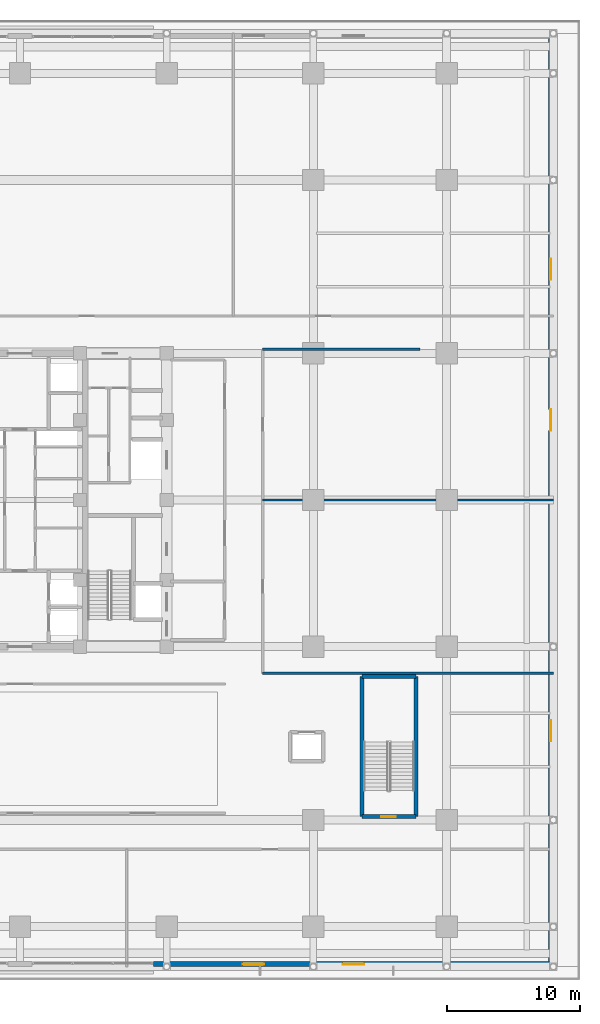
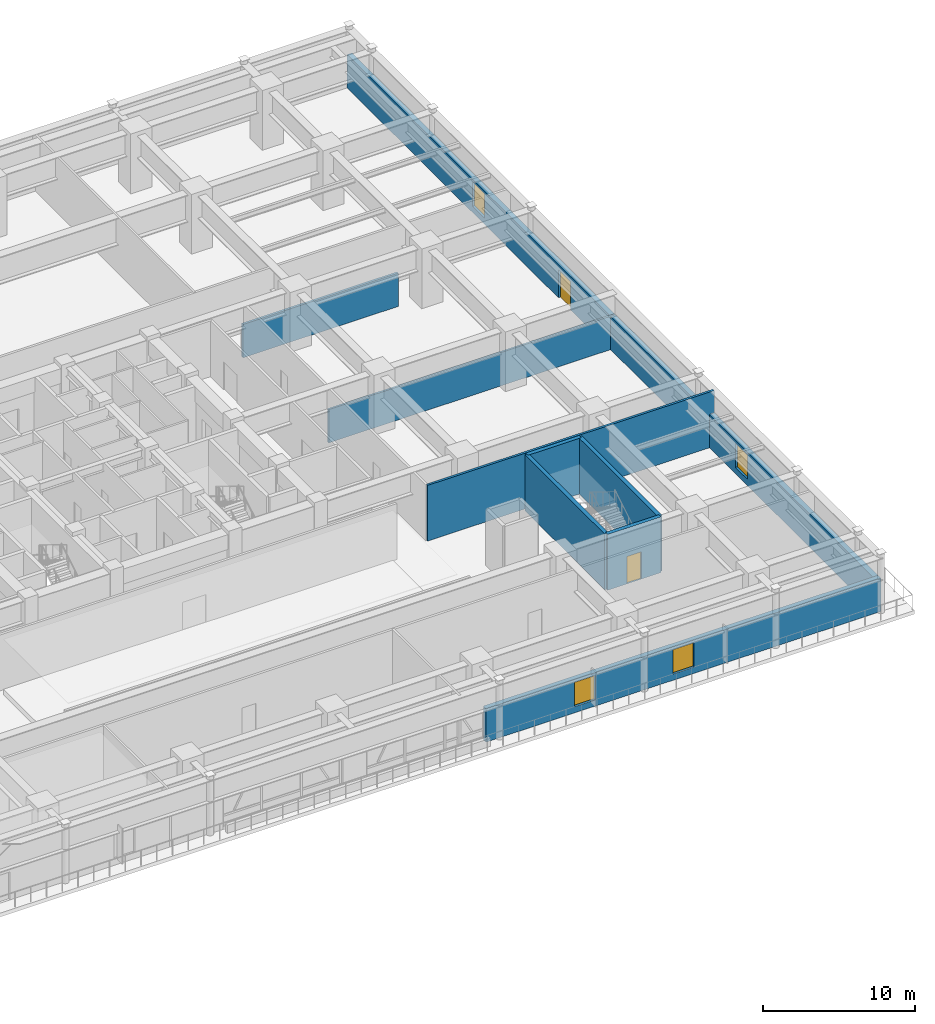
# One storey, part 30 of 38: 9 walls, 4 windows, 2 doors, 6 openings.
"""IFC4 building model written with IfcOpenShell, lengths in metres."""

from ifc_helpers import new_model, si_unit, direction, frame, frame_2d, origin, place, context, subcontext, project, spatial, rectangle, extrude, source, transform, mapped, material, layer, layer_set, type_object, element, fill, save


model = new_model("IFC4")

# Units and contexts
model_context = context("Model", 3, precision=1e-05, world=origin(), true_north=direction((0.0, 1.0)))
body_context = subcontext(model_context, "Body", "Model", "MODEL_VIEW")
ifc_project = project(units=[si_unit("LENGTHUNIT", "METRE"), si_unit("AREAUNIT", "SQUARE_METRE"), si_unit("VOLUMEUNIT", "CUBIC_METRE"), si_unit("PLANEANGLEUNIT", "RADIAN"), si_unit("MASSUNIT", "GRAM", prefix="KILO")], contexts=[model_context])

# Site, building, storey
site_placement = place(None, origin())
site = spatial("IfcSite", under=ifc_project, at=site_placement, CompositionType="ELEMENT")
building_placement = place(site_placement, origin())
building = spatial("IfcBuilding", under=site, at=building_placement, Name="Khorayat Bourse Tower", CompositionType="ELEMENT")
storey_placement = place(building_placement, frame((0.0, 0.0, 17.39990234375)))
storey = spatial("IfcBuildingStorey", under=building, at=storey_placement, Name="L03", CompositionType="ELEMENT", Elevation=17.39990234375)

# Wall, openings, windows
ifc_material_1 = material(Name="Precast concrete C45/55", Category="concrete")
ifc_layer_1 = layer(ifc_material_1, 0.3798828125)
ifc_layer_set_1 = layer_set([ifc_layer_1], Name="Precast concrete C45/55")
wall_type_1 = type_object("IfcWallType", Name="WAL-EXT-STONE-380", PredefinedType="STANDARD", material=ifc_layer_set_1)
shared_shape_1 = source(origin(), body_context, "Body", "SweptSolid", [
    extrude(rectangle(XDim=30.0, YDim=0.3798828125, at=frame_2d((15.0, 0.0))), origin(), (0.0, 0.0, 1.0), 2.68017578125),
])
wall_1_placement = place(storey_placement, frame((10.0, -34.81005859375, 0.0), z_axis=(0.0, 0.0, 1.0), x_axis=(1.0, 0.0, 0.0)))
wall_1 = element("IfcWall", 1, at=wall_1_placement, inside=storey, type_object=wall_type_1, Name="L03 Exterior Limestone Wall WAL-L03-EXT-SE", PredefinedType="STANDARD", context=body_context, shape_type="MappedRepresentation", body=[
    mapped(shared_shape_1, transform((0.0, 0.0, 0.0), scale=1.0)),
])
shared_shape_2 = source(origin(), body_context, "Body", "SweptSolid", [
    extrude(rectangle(XDim=1.60009765625, YDim=1.9599609375, at=frame_2d((0.800048828125, 0.97998046875))), frame((0.0, 0.199951171875, 0.0), z_axis=(0.0, -1.0, 0.0), x_axis=(1.0, 0.0, 0.0)), (0.0, 0.0, 1.0), 0.39990234375),
])
opening_1_placement = place(wall_1_placement, frame((6.699951171875, 0.0, 0.5)))
opening_1 = element("IfcOpeningElement", 2, at=opening_1_placement, cuts=wall_1, Name="Opening WN-02", PredefinedType="OPENING", context=body_context, shape_type="MappedRepresentation", body=[
    mapped(shared_shape_2, transform((0.0, 0.0, 0.0), scale=1.0)),
])
opening_2_placement = place(wall_1_placement, frame((14.199951171875, 0.0, 0.5)))
opening_2 = element("IfcOpeningElement", 3, at=opening_2_placement, cuts=wall_1, Name="Opening WN-02", PredefinedType="OPENING", context=body_context, shape_type="MappedRepresentation", body=[
    mapped(shared_shape_2, transform((0.0, 0.0, 0.0), scale=1.0)),
])
ifc_material_2 = material(Name="Low-E solar-control laminated double glazing", Category="glass")
window_type = type_object("IfcWindowType", Name="WIN-POD-1600x2200", PartitioningType="SINGLE_PANEL", PredefinedType="WINDOW", material=ifc_material_2)
shared_shape_3 = source(origin(), body_context, "Body", "SweptSolid", [
    extrude(rectangle(XDim=1.60009765625, YDim=1.9599609375, at=frame_2d((0.800048828125, 0.97998046875))), frame((0.0, 0.030029296875, 0.0), z_axis=(0.0, -1.0, 0.0), x_axis=(1.0, 0.0, 0.0)), (0.0, 0.0, 1.0), 0.06005859375),
])
window_1_placement = place(opening_1_placement, origin())
window_1 = element("IfcWindow", 4, at=window_1_placement, inside=storey, type_object=window_type, Name="L03 Facade Window 1", OverallHeight=1.9599609375, OverallWidth=1.60009765625, PartitioningType="SINGLE_PANEL", PredefinedType="WINDOW", context=body_context, shape_type="MappedRepresentation", body=[
    mapped(shared_shape_3, transform((0.0, 0.0, 0.0), scale=1.0)),
])
fill(opening_1, window_1)
window_2_placement = place(opening_2_placement, origin())
window_2 = element("IfcWindow", 5, at=window_2_placement, inside=storey, type_object=window_type, Name="L03 Facade Window 2", OverallHeight=1.9599609375, OverallWidth=1.60009765625, PartitioningType="SINGLE_PANEL", PredefinedType="WINDOW", context=body_context, shape_type="MappedRepresentation", body=[
    mapped(shared_shape_3, transform((0.0, 0.0, 0.0), scale=1.0)),
])
fill(opening_2, window_2)

# Wall, openings, door, windows
shared_shape_4 = source(origin(), body_context, "Body", "SweptSolid", [
    extrude(rectangle(XDim=69.240234375, YDim=0.3798828125, at=frame_2d((34.6201171875, 0.0))), origin(), (0.0, 0.0, 1.0), 2.68017578125),
])
wall_2_placement = place(storey_placement, frame((39.81005859375, -34.6201171875, 0.0), z_axis=(0.0, 0.0, 1.0), x_axis=(0.0, 1.0, 0.0)))
wall_2 = element("IfcWall", 6, at=wall_2_placement, inside=storey, type_object=wall_type_1, Name="L03 Exterior Limestone Wall WAL-L03-EXT-EF", PredefinedType="STANDARD", context=body_context, shape_type="MappedRepresentation", body=[
    mapped(shared_shape_4, transform((0.0, 0.0, 0.0), scale=1.0)),
])
shared_shape_5 = source(origin(), body_context, "Body", "SweptSolid", [
    extrude(rectangle(XDim=1.60009765625, YDim=2.25, at=frame_2d((0.800048828125, 1.125))), frame((0.0, 0.199951171875, 0.0), z_axis=(0.0, -1.0, 0.0), x_axis=(1.0, 0.0, 0.0)), (0.0, 0.0, 1.0), 0.39990234375),
])
opening_3_placement = place(wall_2_placement, frame((39.820068359375, 0.0, 0.0)))
opening_3 = element("IfcOpeningElement", 7, at=opening_3_placement, cuts=wall_2, Name="Opening DE-04", PredefinedType="OPENING", context=body_context, shape_type="MappedRepresentation", body=[
    mapped(shared_shape_5, transform((0.0, 0.0, 0.0), scale=1.0)),
])
opening_4_placement = place(wall_2_placement, frame((16.510009765625, 0.0, 0.5)))
opening_4 = element("IfcOpeningElement", 8, at=opening_4_placement, cuts=wall_2, Name="Opening WN-02", PredefinedType="OPENING", context=body_context, shape_type="MappedRepresentation", body=[
    mapped(shared_shape_2, transform((0.0, 0.0, 0.0), scale=1.0)),
])
opening_5_placement = place(wall_2_placement, frame((51.1298828125, 0.0, 0.5)))
opening_5 = element("IfcOpeningElement", 9, at=opening_5_placement, cuts=wall_2, Name="Opening WN-02", PredefinedType="OPENING", context=body_context, shape_type="MappedRepresentation", body=[
    mapped(shared_shape_2, transform((0.0, 0.0, 0.0), scale=1.0)),
])
ifc_material_3 = material(Name="Thermally broken aluminium terrace double door", Category="aluminium")
door_type_1 = type_object("IfcDoorType", Name="DR-EXT-TERR-1600", OperationType="NOTDEFINED", PredefinedType="DOOR", material=ifc_material_3)
shared_shape_6 = source(origin(), body_context, "Body", "SweptSolid", [
    extrude(rectangle(XDim=1.60009765625, YDim=2.25, at=frame_2d((0.800048828125, 1.125))), frame((0.0, 0.02490234375, 0.0), z_axis=(0.0, -1.0, 0.0), x_axis=(1.0, 0.0, 0.0)), (0.0, 0.0, 1.0), 0.050048828125),
])
door_1_placement = place(opening_3_placement, origin())
door_1 = element("IfcDoor", 10, at=door_1_placement, inside=storey, type_object=door_type_1, Name="L03 East Garden Terrace Door", OperationType="DOUBLE_DOOR_SINGLE_SWING", OverallHeight=2.25, OverallWidth=1.60009765625, PredefinedType="DOOR", context=body_context, shape_type="MappedRepresentation", body=[
    mapped(shared_shape_6, transform((0.0, 0.0, 0.0), scale=1.0)),
])
fill(opening_3, door_1)
window_3_placement = place(opening_4_placement, origin())
window_3 = element("IfcWindow", 11, at=window_3_placement, inside=storey, type_object=window_type, Name="L03 Facade Window 1", OverallHeight=1.9599609375, OverallWidth=1.60009765625, PartitioningType="SINGLE_PANEL", PredefinedType="WINDOW", context=body_context, shape_type="MappedRepresentation", body=[
    mapped(shared_shape_3, transform((0.0, 0.0, 0.0), scale=1.0)),
])
fill(opening_4, window_3)
window_4_placement = place(opening_5_placement, origin())
window_4 = element("IfcWindow", 12, at=window_4_placement, inside=storey, type_object=window_type, Name="L03 Facade Window 3", OverallHeight=1.9599609375, OverallWidth=1.60009765625, PartitioningType="SINGLE_PANEL", PredefinedType="WINDOW", context=body_context, shape_type="MappedRepresentation", body=[
    mapped(shared_shape_3, transform((0.0, 0.0, 0.0), scale=1.0)),
])
fill(opening_5, window_4)

# Wall, opening, door
ifc_material_4 = material(Name="Concrete C50/60", Category="concrete")
ifc_layer_2 = layer(ifc_material_4, 0.300048828125)
ifc_layer_set_2 = layer_set([ifc_layer_2], Name="Concrete C50/60")
wall_type_2 = type_object("IfcWallType", Name="WAL-SHAFT-300", PredefinedType="SHEAR", material=ifc_layer_set_2)
shared_shape_7 = source(origin(), body_context, "Body", "SweptSolid", [
    extrude(rectangle(XDim=4.050048828125, YDim=0.300048828125, at=frame_2d((2.02490234375, 0.0))), origin(), (0.0, 0.0, 1.0), 4.47998046875),
])
wall_3_placement = place(storey_placement, frame((25.64990234375, -23.75, 0.0), z_axis=(0.0, 0.0, 1.0), x_axis=(1.0, 0.0, 0.0)))
wall_3 = element("IfcWall", 13, at=wall_3_placement, inside=storey, type_object=wall_type_2, Name="L03 Partition WAL-L03-STP2-S", PredefinedType="SHEAR", context=body_context, shape_type="MappedRepresentation", body=[
    mapped(shared_shape_7, transform((0.0, 0.0, 0.0), scale=1.0)),
])
shared_shape_8 = source(origin(), body_context, "Body", "SweptSolid", [
    extrude(rectangle(XDim=1.10009765625, YDim=2.199951171875, at=frame_2d((0.550048828125, 1.10009765625))), frame((0.0, 0.159912109375, 0.0), z_axis=(0.0, -1.0, 0.0), x_axis=(1.0, 0.0, 0.0)), (0.0, 0.0, 1.0), 0.320068359375),
])
opening_6_placement = place(wall_3_placement, frame((1.449951171875, 0.0, 0.0)))
opening_6 = element("IfcOpeningElement", 14, at=opening_6_placement, cuts=wall_3, Name="Opening DI-01", PredefinedType="OPENING", context=body_context, shape_type="MappedRepresentation", body=[
    mapped(shared_shape_8, transform((0.0, 0.0, 0.0), scale=1.0)),
])
ifc_material_5 = material(Name="Fire-rated steel acoustic leaf", Category="steel")
door_type_2 = type_object("IfcDoorType", Name="DR-INT-STAIR-1100", OperationType="NOTDEFINED", PredefinedType="DOOR", material=ifc_material_5)
shared_shape_9 = source(origin(), body_context, "Body", "SweptSolid", [
    extrude(rectangle(XDim=1.10009765625, YDim=2.199951171875, at=frame_2d((0.550048828125, 1.10009765625))), frame((0.0, 0.02490234375, 0.0), z_axis=(0.0, -1.0, 0.0), x_axis=(1.0, 0.0, 0.0)), (0.0, 0.0, 1.0), 0.050048828125),
])
door_2_placement = place(opening_6_placement, origin())
door_2 = element("IfcDoor", 15, at=door_2_placement, inside=storey, type_object=door_type_2, Name="L03 Podium Stair P2 Door", OperationType="SINGLE_SWING_RIGHT", OverallHeight=2.199951171875, OverallWidth=1.10009765625, PredefinedType="DOOR", context=body_context, shape_type="MappedRepresentation", body=[
    mapped(shared_shape_9, transform((0.0, 0.0, 0.0), scale=1.0)),
])
fill(opening_6, door_2)

# Walls
wall_4_placement = place(storey_placement, frame((25.64990234375, -13.25, 0.0), z_axis=(0.0, 0.0, 1.0), x_axis=(1.0, 0.0, 0.0)))
element("IfcWall", 16, at=wall_4_placement, inside=storey, type_object=wall_type_2, Name="L03 Partition WAL-L03-STP2-N", PredefinedType="SHEAR", context=body_context, shape_type="MappedRepresentation", body=[
    mapped(shared_shape_7, transform((0.0, 0.0, 0.0), scale=1.0)),
])
shared_shape_10 = source(origin(), body_context, "Body", "SweptSolid", [
    extrude(rectangle(XDim=10.5, YDim=0.300048828125, at=frame_2d((5.25, 0.0))), origin(), (0.0, 0.0, 1.0), 4.47998046875),
])
for number, where, z_axis, x_axis, name in (
    (17, (25.64990234375, -23.75, 0.0), (0.0, 0.0, 1.0), (0.0, 1.0, 0.0), "L03 Partition WAL-L03-STP2-W"),
    (18, (29.699951171875, -23.75, 0.0), (0.0, 0.0, 1.0), (0.0, 1.0, 0.0), "L03 Partition WAL-L03-STP2-E"),
):
    element("IfcWall", number, at=place(storey_placement, frame(where, z_axis=z_axis, x_axis=x_axis)), inside=storey, type_object=wall_type_2, Name=name, PredefinedType="SHEAR", context=body_context, shape_type="MappedRepresentation", body=[
        mapped(shared_shape_10, transform((0.0, 0.0, 0.0), scale=1.0)),
    ])
ifc_material_6 = material(Name="Gypsum plasterboard acoustic stud wall")
ifc_layer_3 = layer(ifc_material_6, 0.179931640625)
ifc_layer_set_3 = layer_set([ifc_layer_3], Name="Gypsum plasterboard acoustic stud wall")
wall_type_3 = type_object("IfcWallType", Name="WAL-PART-CORR-180", PredefinedType="PARTITIONING", material=ifc_layer_set_3)
shared_shape_11 = source(origin(), body_context, "Body", "SweptSolid", [
    extrude(rectangle(XDim=11.800048828125, YDim=0.179931640625, at=frame_2d((5.89990234375, 0.0))), origin(), (0.0, 0.0, 1.0), 2.68017578125),
])
wall_5_placement = place(storey_placement, frame((18.199951171875, 11.300048828125, 0.0), z_axis=(0.0, 0.0, 1.0), x_axis=(1.0, 0.0, 0.0)))
element("IfcWall", 19, at=wall_5_placement, inside=storey, type_object=wall_type_3, Name="L03 Partition WAL-L03-PCORRN-SE", PredefinedType="PARTITIONING", context=body_context, shape_type="MappedRepresentation", body=[
    mapped(shared_shape_11, transform((0.0, 0.0, 0.0), scale=1.0)),
])
shared_shape_12 = source(origin(), body_context, "Body", "SweptSolid", [
    extrude(rectangle(XDim=21.800048828125, YDim=0.179931640625, at=frame_2d((10.89990234375, 0.0))), origin(), (0.0, 0.0, 1.0), 4.47998046875),
])
wall_6_placement = place(storey_placement, frame((18.199951171875, -13.0, 0.0), z_axis=(0.0, 0.0, 1.0), x_axis=(1.0, 0.0, 0.0)))
element("IfcWall", 20, at=wall_6_placement, inside=storey, type_object=wall_type_3, Name="L03 Partition WAL-L03-PE-S", PredefinedType="PARTITIONING", context=body_context, shape_type="MappedRepresentation", body=[
    mapped(shared_shape_12, transform((0.0, 0.0, 0.0), scale=1.0)),
])
ifc_material_7 = material(Name="Gypsum plasterboard twin-frame partition")
ifc_layer_4 = layer(ifc_material_7, 0.14990234375)
ifc_layer_set_4 = layer_set([ifc_layer_4], Name="Gypsum plasterboard twin-frame partition")
wall_type_4 = type_object("IfcWallType", Name="WAL-PART-SUITE-150", PredefinedType="PARTITIONING", material=ifc_layer_set_4)
shared_shape_13 = source(origin(), body_context, "Body", "SweptSolid", [
    extrude(rectangle(XDim=21.800048828125, YDim=0.14990234375, at=frame_2d((10.89990234375, 0.0))), origin(), (0.0, 0.0, 1.0), 2.68017578125),
])
wall_7_placement = place(storey_placement, frame((18.199951171875, 0.0, 0.0), z_axis=(0.0, 0.0, 1.0), x_axis=(1.0, 0.0, 0.0)))
element("IfcWall", 21, at=wall_7_placement, inside=storey, type_object=wall_type_4, Name="L03 Partition WAL-L03-PE-DIV-1", PredefinedType="PARTITIONING", context=body_context, shape_type="MappedRepresentation", body=[
    mapped(shared_shape_13, transform((0.0, 0.0, 0.0), scale=1.0)),
])

save(model, "model.ifc")
